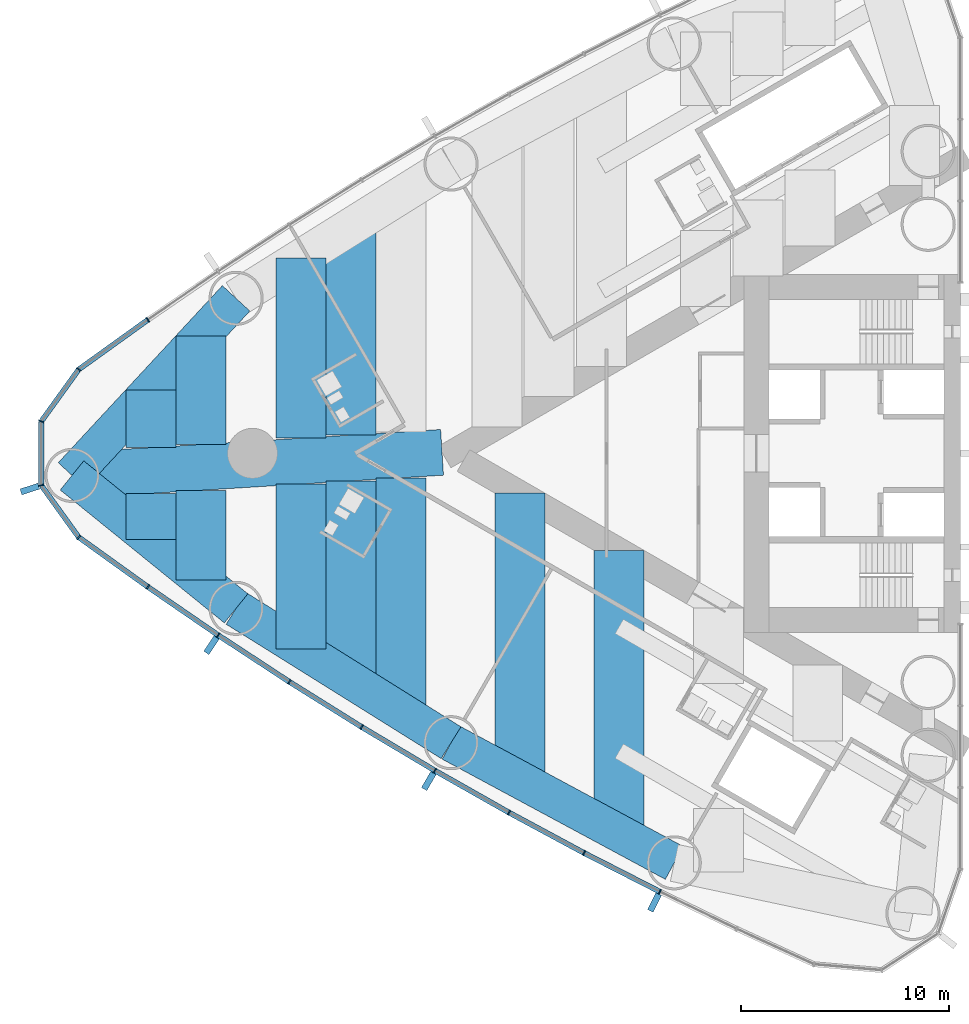
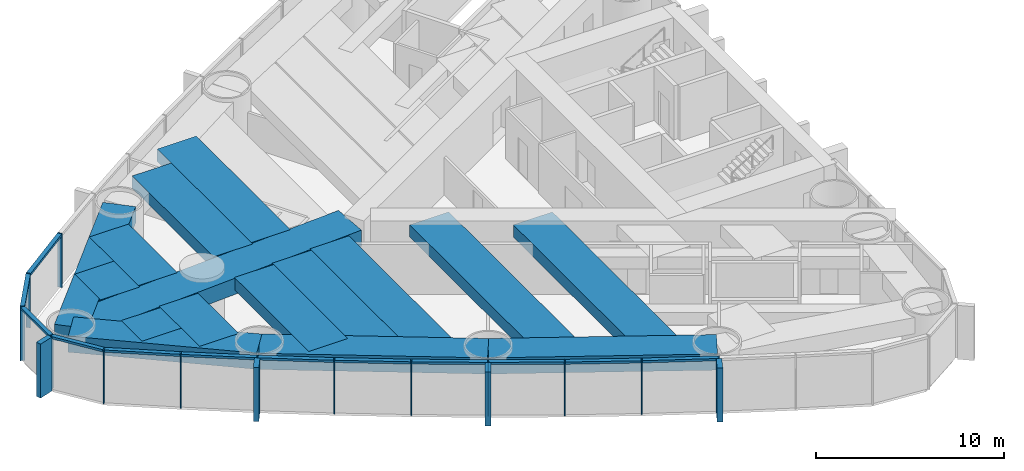
# One storey, part 2 of 18: 29 members, 16 beams, 1 element without a shape of its own.
"""IFC4 building model written with IfcOpenShell, lengths in metres."""

from ifc_helpers import new_model, si_unit, direction, frame, origin, origin_2d, place, context, subcontext, project, spatial, rectangle, extrude, material, material_profile, profile_set, type_object, element, aggregate, save


model = new_model("IFC4")

# Units and contexts
model_context = context("Model", 3, precision=1e-05, world=origin(), true_north=direction((0.0, 1.0)))
body_context = subcontext(model_context, "Body", "Model", "MODEL_VIEW")
ifc_project = project(units=[si_unit("LENGTHUNIT", "METRE"), si_unit("AREAUNIT", "SQUARE_METRE"), si_unit("VOLUMEUNIT", "CUBIC_METRE"), si_unit("PLANEANGLEUNIT", "RADIAN"), si_unit("MASSUNIT", "GRAM", prefix="KILO")], contexts=[model_context])

# Site, building, storey
site_placement = place(None, origin())
site = spatial("IfcSite", under=ifc_project, at=site_placement, CompositionType="ELEMENT")
building_placement = place(site_placement, origin())
building = spatial("IfcBuilding", under=site, at=building_placement, Name="Lancet Gate Hotel", CompositionType="ELEMENT")
storey_placement = place(building_placement, frame((0.0, 0.0, 108.10009765625)))
storey = spatial("IfcBuildingStorey", under=building, at=storey_placement, Name="L28", CompositionType="ELEMENT", Elevation=108.10009765625)

# Curtain wall, members
ifc_material_1 = material(Name="Aluminium curtain wall", Category="aluminium")
curtain_wall_type = type_object("IfcCurtainWallType", Name="Tower unitised curtain wall", PredefinedType="USERDEFINED", material=ifc_material_1)
curtain_wall_placement = place(storey_placement, origin())
curtain_wall = element("IfcCurtainWall", 1, at=curtain_wall_placement, inside=storey, type_object=curtain_wall_type, Name="T1 L28 curtain wall 1", ObjectType="UNITISED CURTAIN WALL", PredefinedType="USERDEFINED")
ifc_material_2 = material(Name="Aluminium mullion", Category="aluminium")
ifc_material_profile_1 = material_profile(ifc_material_2, rectangle(XDim=0.06494140625, YDim=0.25, at=origin_2d()), Name="MULLION 65x250")
ifc_profile_set_1 = profile_set([ifc_material_profile_1], Name="Aluminium mullion")
member_type_1 = type_object("IfcMemberType", Name="Aluminium mullion 65x250", PredefinedType="MULLION", material=ifc_profile_set_1)
member_1_placement = place(storey_placement, frame((-66.5234375, 6.41650390625, 0.0), z_axis=(0.0, 0.0, 1.0), x_axis=(-0.818327221681, -0.574752606132, 0.0)))
member_1 = element("IfcMember", 2, at=member_1_placement, type_object=member_type_1, Name="T1 L28 curtain wall 1 mullion 16", PredefinedType="MULLION", context=body_context, shape_type="SweptSolid", body=[
    extrude(rectangle(XDim=0.06494140625, YDim=0.25, at=origin_2d()), origin(), (0.0, 0.0, 1.0), 3.5),
])
member_2_placement = place(storey_placement, frame((-69.84619140625, 4.02880859375, 0.0), z_axis=(0.0, 0.0, 1.0), x_axis=(-0.723846229576, -0.6899613293, 0.0)))
member_2 = element("IfcMember", 3, at=member_2_placement, type_object=member_type_1, Name="T1 L28 curtain wall 1 mullion 17", PredefinedType="MULLION", context=body_context, shape_type="SweptSolid", body=[
    extrude(rectangle(XDim=0.06494140625, YDim=0.25, at=origin_2d()), origin(), (0.0, 0.0, 1.0), 3.5),
])
member_3_placement = place(storey_placement, frame((-71.64306640625, 1.536376953125, 0.0), z_axis=(0.0, 0.0, 1.0), x_axis=(-0.307269196735, -0.95162263568, 0.0)))
member_3 = element("IfcMember", 4, at=member_3_placement, type_object=member_type_1, Name="T1 L28 curtain wall 1 mullion 18", PredefinedType="MULLION", context=body_context, shape_type="SweptSolid", body=[
    extrude(rectangle(XDim=0.06494140625, YDim=0.25, at=origin_2d()), origin(), (0.0, 0.0, 1.0), 3.5),
])
member_4_placement = place(storey_placement, frame((-71.64306640625, -1.536376953125, 0.0), z_axis=(0.0, 0.0, 1.0), x_axis=(0.307269196735, -0.95162263568, 0.0)))
member_4 = element("IfcMember", 5, at=member_4_placement, type_object=member_type_1, Name="T1 L28 curtain wall 1 mullion 19", PredefinedType="MULLION", context=body_context, shape_type="SweptSolid", body=[
    extrude(rectangle(XDim=0.06494140625, YDim=0.25, at=origin_2d()), origin(), (0.0, 0.0, 1.0), 3.5),
])
member_5_placement = place(storey_placement, frame((-69.84619140625, -4.02880859375, 0.0), z_axis=(0.0, 0.0, 1.0), x_axis=(0.723846229576, -0.6899613293, 0.0)))
member_5 = element("IfcMember", 6, at=member_5_placement, type_object=member_type_1, Name="T1 L28 curtain wall 1 mullion 20", PredefinedType="MULLION", context=body_context, shape_type="SweptSolid", body=[
    extrude(rectangle(XDim=0.06494140625, YDim=0.25, at=origin_2d()), origin(), (0.0, 0.0, 1.0), 3.5),
])
member_6_placement = place(storey_placement, frame((-66.5234375, -6.41650390625, 0.0), z_axis=(0.0, 0.0, 1.0), x_axis=(0.818327221681, -0.574752606132, 0.0)))
member_6 = element("IfcMember", 7, at=member_6_placement, type_object=member_type_1, Name="T1 L28 curtain wall 1 mullion 21", PredefinedType="MULLION", context=body_context, shape_type="SweptSolid", body=[
    extrude(rectangle(XDim=0.06494140625, YDim=0.25, at=origin_2d()), origin(), (0.0, 0.0, 1.0), 3.5),
])
member_7_placement = place(storey_placement, frame((-63.14990234375, -8.73193359375, 0.0), z_axis=(0.0, 0.0, 1.0), x_axis=(0.830510096234, -0.557003572747, 0.0)))
member_7 = element("IfcMember", 8, at=member_7_placement, type_object=member_type_1, Name="T1 L28 curtain wall 1 mullion 22", PredefinedType="MULLION", context=body_context, shape_type="SweptSolid", body=[
    extrude(rectangle(XDim=0.06494140625, YDim=0.25, at=origin_2d()), origin(), (0.0, 0.0, 1.0), 3.5),
])
member_8_placement = place(storey_placement, frame((-59.7275390625, -10.974365234375, 0.0), z_axis=(0.0, 0.0, 1.0), x_axis=(0.84230807036, -0.538996395727, 0.0)))
member_8 = element("IfcMember", 9, at=member_8_placement, type_object=member_type_1, Name="T1 L28 curtain wall 1 mullion 23", PredefinedType="MULLION", context=body_context, shape_type="SweptSolid", body=[
    extrude(rectangle(XDim=0.06494140625, YDim=0.25, at=origin_2d()), origin(), (0.0, 0.0, 1.0), 3.5),
])
member_9_placement = place(storey_placement, frame((-56.257568359375, -13.142333984375, 0.0), z_axis=(0.0, 0.0, 1.0), x_axis=(0.853715676299, -0.52073942048, 0.0)))
member_9 = element("IfcMember", 10, at=member_9_placement, type_object=member_type_1, Name="T1 L28 curtain wall 1 mullion 24", PredefinedType="MULLION", context=body_context, shape_type="SweptSolid", body=[
    extrude(rectangle(XDim=0.06494140625, YDim=0.25, at=origin_2d()), origin(), (0.0, 0.0, 1.0), 3.5),
])
member_10_placement = place(storey_placement, frame((-52.74169921875, -15.2353515625, 0.0), z_axis=(0.0, 0.0, 1.0), x_axis=(0.86472762718, -0.502241108226, 0.0)))
member_10 = element("IfcMember", 11, at=member_10_placement, type_object=member_type_1, Name="T1 L28 curtain wall 1 mullion 25", PredefinedType="MULLION", context=body_context, shape_type="SweptSolid", body=[
    extrude(rectangle(XDim=0.06494140625, YDim=0.25, at=origin_2d()), origin(), (0.0, 0.0, 1.0), 3.5),
])
member_11_placement = place(storey_placement, frame((-49.181640625, -17.252197265625, 0.0), z_axis=(0.0, 0.0, 1.0), x_axis=(0.875338819507, -0.48351003202, 0.0)))
member_11 = element("IfcMember", 12, at=member_11_placement, type_object=member_type_1, Name="T1 L28 curtain wall 1 mullion 26", PredefinedType="MULLION", context=body_context, shape_type="SweptSolid", body=[
    extrude(rectangle(XDim=0.06494140625, YDim=0.25, at=origin_2d()), origin(), (0.0, 0.0, 1.0), 3.5),
])
member_12_placement = place(storey_placement, frame((-45.578857421875, -19.19189453125, 0.0), z_axis=(0.0, 0.0, 1.0), x_axis=(0.885544335517, -0.46455487279, 0.0)))
member_12 = element("IfcMember", 13, at=member_12_placement, type_object=member_type_1, Name="T1 L28 curtain wall 1 mullion 27", PredefinedType="MULLION", context=body_context, shape_type="SweptSolid", body=[
    extrude(rectangle(XDim=0.06494140625, YDim=0.25, at=origin_2d()), origin(), (0.0, 0.0, 1.0), 3.5),
])
member_13_placement = place(storey_placement, frame((-41.935302734375, -21.053466796875, 0.0), z_axis=(0.0, 0.0, 1.0), x_axis=(0.895339445458, -0.445384415317, 0.0)))
member_13 = element("IfcMember", 14, at=member_13_placement, type_object=member_type_1, Name="T1 L28 curtain wall 1 mullion 28", PredefinedType="MULLION", context=body_context, shape_type="SweptSolid", body=[
    extrude(rectangle(XDim=0.06494140625, YDim=0.25, at=origin_2d()), origin(), (0.0, 0.0, 1.0), 3.5),
])
ifc_material_3 = material(Name="Aluminium transom", Category="aluminium")
ifc_material_profile_2 = material_profile(ifc_material_3, rectangle(XDim=0.25, YDim=0.14990234375, at=origin_2d()), Name="TRANSOM 250x150")
ifc_profile_set_2 = profile_set([ifc_material_profile_2], Name="Aluminium transom")
member_type_2 = type_object("IfcMemberType", Name="Aluminium transom 250x150", PredefinedType="USERDEFINED", material=ifc_profile_set_2)
member_14_placement = place(storey_placement, frame((-66.5498046875, 6.3974609375, 3.4248046875), z_axis=(-0.812099770796, -0.583518604908, 0.0), x_axis=(0.583518604908, -0.812099770796, 0.0)))
member_14 = element("IfcMember", 15, at=member_14_placement, type_object=member_type_2, Name="T1 L28 curtain wall 1 transom 16", ObjectType="TRANSOM", PredefinedType="USERDEFINED", context=body_context, shape_type="SweptSolid", body=[
    extrude(rectangle(XDim=0.25, YDim=0.14990234375, at=origin_2d()), origin(), (0.0, 0.0, 1.0), 4.026611328125),
])
member_15_placement = place(storey_placement, frame((-69.865234375, 4.00244140625, 3.4248046875), z_axis=(-0.584787911241, -0.81118622946, 0.0), x_axis=(0.81118622946, -0.584787911241, 0.0)))
member_15 = element("IfcMember", 16, at=member_15_placement, type_object=member_type_2, Name="T1 L28 curtain wall 1 transom 17", ObjectType="TRANSOM", PredefinedType="USERDEFINED", context=body_context, shape_type="SweptSolid", body=[
    extrude(rectangle(XDim=0.25, YDim=0.14990234375, at=origin_2d()), origin(), (0.0, 0.0, 1.0), 3.007568359375),
])
member_16_placement = place(storey_placement, frame((-71.64306640625, 1.50390625, 3.4248046875), z_axis=(0.0, -1.0, 0.0), x_axis=(1.0, 0.0, 0.0)))
member_16 = element("IfcMember", 17, at=member_16_placement, type_object=member_type_2, Name="T1 L28 curtain wall 1 transom 18", ObjectType="TRANSOM", PredefinedType="USERDEFINED", context=body_context, shape_type="SweptSolid", body=[
    extrude(rectangle(XDim=0.25, YDim=0.14990234375, at=origin_2d()), origin(), (0.0, 0.0, 1.0), 3.0078125),
])
member_17_placement = place(storey_placement, frame((-71.6240234375, -1.562744140625, 3.4248046875), z_axis=(0.584787911241, -0.81118622946, 0.0), x_axis=(0.81118622946, 0.584787911241, 0.0)))
member_17 = element("IfcMember", 18, at=member_17_placement, type_object=member_type_2, Name="T1 L28 curtain wall 1 transom 19", ObjectType="TRANSOM", PredefinedType="USERDEFINED", context=body_context, shape_type="SweptSolid", body=[
    extrude(rectangle(XDim=0.25, YDim=0.14990234375, at=origin_2d()), origin(), (0.0, 0.0, 1.0), 3.007568359375),
])
member_18_placement = place(storey_placement, frame((-69.81982421875, -4.0478515625, 3.4248046875), z_axis=(0.812099770796, -0.583518604908, 0.0), x_axis=(0.583518604908, 0.812099770796, 0.0)))
member_18 = element("IfcMember", 19, at=member_18_placement, type_object=member_type_2, Name="T1 L28 curtain wall 1 transom 20", ObjectType="TRANSOM", PredefinedType="USERDEFINED", context=body_context, shape_type="SweptSolid", body=[
    extrude(rectangle(XDim=0.25, YDim=0.14990234375, at=origin_2d()), origin(), (0.0, 0.0, 1.0), 4.026611328125),
])
member_19_placement = place(storey_placement, frame((-66.49658203125, -6.434814453125, 3.4248046875), z_axis=(0.824455665247, -0.565926546508, 0.0), x_axis=(0.565926546508, 0.824455665247, 0.0)))
member_19 = element("IfcMember", 20, at=member_19_placement, type_object=member_type_2, Name="T1 L28 curtain wall 1 transom 21", ObjectType="TRANSOM", PredefinedType="USERDEFINED", context=body_context, shape_type="SweptSolid", body=[
    extrude(rectangle(XDim=0.25, YDim=0.14990234375, at=origin_2d()), origin(), (0.0, 0.0, 1.0), 4.026611328125),
])
member_20_placement = place(storey_placement, frame((-63.122802734375, -8.749755859375, 3.4248046875), z_axis=(0.83645442085, -0.548036496815, 0.0), x_axis=(0.548036496815, 0.83645442085, 0.0)))
member_20 = element("IfcMember", 21, at=member_20_placement, type_object=member_type_2, Name="T1 L28 curtain wall 1 transom 22", ObjectType="TRANSOM", PredefinedType="USERDEFINED", context=body_context, shape_type="SweptSolid", body=[
    extrude(rectangle(XDim=0.25, YDim=0.14990234375, at=origin_2d()), origin(), (0.0, 0.0, 1.0), 4.026611328125),
])
member_21_placement = place(storey_placement, frame((-59.699951171875, -10.991455078125, 3.4248046875), z_axis=(0.848049393821, -0.529917187531, 0.0), x_axis=(0.529917187531, 0.848049393821, 0.0)))
member_21 = element("IfcMember", 22, at=member_21_placement, type_object=member_type_2, Name="T1 L28 curtain wall 1 transom 23", ObjectType="TRANSOM", PredefinedType="USERDEFINED", context=body_context, shape_type="SweptSolid", body=[
    extrude(rectangle(XDim=0.25, YDim=0.14990234375, at=origin_2d()), origin(), (0.0, 0.0, 1.0), 4.026611328125),
])
member_22_placement = place(storey_placement, frame((-56.2294921875, -13.1591796875, 3.4248046875), z_axis=(0.859285270342, -0.511496651186, 0.0), x_axis=(0.511496651186, 0.859285270342, 0.0)))
member_22 = element("IfcMember", 23, at=member_22_placement, type_object=member_type_2, Name="T1 L28 curtain wall 1 transom 24", ObjectType="TRANSOM", PredefinedType="USERDEFINED", context=body_context, shape_type="SweptSolid", body=[
    extrude(rectangle(XDim=0.25, YDim=0.14990234375, at=origin_2d()), origin(), (0.0, 0.0, 1.0), 4.026611328125),
])
member_23_placement = place(storey_placement, frame((-52.71337890625, -15.25146484375, 3.4248046875), z_axis=(0.870091531013, -0.492890178091, 0.0), x_axis=(0.492890178091, 0.870091531013, 0.0)))
member_23 = element("IfcMember", 24, at=member_23_placement, type_object=member_type_2, Name="T1 L28 curtain wall 1 transom 25", ObjectType="TRANSOM", PredefinedType="USERDEFINED", context=body_context, shape_type="SweptSolid", body=[
    extrude(rectangle(XDim=0.25, YDim=0.14990234375, at=origin_2d()), origin(), (0.0, 0.0, 1.0), 4.026611328125),
])
member_24_placement = place(storey_placement, frame((-49.153076171875, -17.267578125, 3.4248046875), z_axis=(0.880498353192, -0.474049206335, 0.0), x_axis=(0.474049206335, 0.880498353192, 0.0)))
member_24 = element("IfcMember", 25, at=member_24_placement, type_object=member_type_2, Name="T1 L28 curtain wall 1 transom 26", ObjectType="TRANSOM", PredefinedType="USERDEFINED", context=body_context, shape_type="SweptSolid", body=[
    extrude(rectangle(XDim=0.25, YDim=0.14990234375, at=origin_2d()), origin(), (0.0, 0.0, 1.0), 4.02685546875),
])
member_25_placement = place(storey_placement, frame((-45.550048828125, -19.20654296875, 3.4248046875), z_axis=(0.89047617483, -0.455029869415, 0.0), x_axis=(0.455029869415, 0.89047617483, 0.0)))
member_25 = element("IfcMember", 26, at=member_25_placement, type_object=member_type_2, Name="T1 L28 curtain wall 1 transom 27", ObjectType="TRANSOM", PredefinedType="USERDEFINED", context=body_context, shape_type="SweptSolid", body=[
    extrude(rectangle(XDim=0.25, YDim=0.14990234375, at=origin_2d()), origin(), (0.0, 0.0, 1.0), 4.026611328125),
])

# Beams
ifc_material_4 = material(Name="Concrete C50/60", Category="concrete")
ifc_material_profile_3 = material_profile(ifc_material_4, rectangle(XDim=1.800048828125, YDim=1.050048828125, at=origin_2d()), Name="RC 1800x1050")
ifc_profile_set_3 = profile_set([ifc_material_profile_3], Name="Concrete C50/60")
beam_type_1 = type_object("IfcBeamType", Name="Edge beam RC 1800x1050", PredefinedType="SPANDREL", material=ifc_profile_set_3)
beam_1_placement = place(storey_placement, frame((-62.28662109375, 7.444580078125, 2.724853515625), z_axis=(-0.679718253794, -0.733473309303, 0.0), x_axis=(0.733473309303, -0.679718253794, 0.0)))
element("IfcBeam", 27, at=beam_1_placement, inside=storey, type_object=beam_type_1, Name="T1 edge beam EB1 L28", PredefinedType="SPANDREL", context=body_context, shape_type="SweptSolid", body=[
    extrude(rectangle(XDim=1.800048828125, YDim=1.050048828125, at=origin_2d()), origin(), (0.0, 0.0, 1.0), 11.594970703125),
])
beam_2_placement = place(storey_placement, frame((-70.16796875, -1.06005859375, 2.724853515625), z_axis=(0.777033503891, -0.629459239213, 0.0), x_axis=(0.629459239213, 0.777033503891, 0.0)))
element("IfcBeam", 28, at=beam_2_placement, inside=storey, type_object=beam_type_1, Name="T1 edge beam EB1 L28", PredefinedType="SPANDREL", context=body_context, shape_type="SweptSolid", body=[
    extrude(rectangle(XDim=1.800048828125, YDim=1.050048828125, at=origin_2d()), origin(), (0.0, 0.0, 1.0), 10.142822265625),
])
for number, where, z_axis, x_axis, name in (
    (29, (-62.28662109375, -7.444580078125, 2.724853515625), (0.848062521637, -0.529896177939, 0.0), (0.529896177939, 0.848062521637, 0.0), "T1 edge beam EB1 L28"),
    (30, (-51.963134765625, -13.89501953125, 2.724853515625), (0.880492350889, -0.474060354835, 0.0), (0.474060354835, 0.880492350889, 0.0), "T1 edge beam EB1 L28"),
):
    element("IfcBeam", number, at=place(storey_placement, frame(where, z_axis=z_axis, x_axis=x_axis)), inside=storey, type_object=beam_type_1, Name=name, PredefinedType="SPANDREL", context=body_context, shape_type="SweptSolid", body=[
        extrude(rectangle(XDim=1.800048828125, YDim=1.050048828125, at=origin_2d()), origin(), (0.0, 0.0, 1.0), 12.173095703125),
    ])

# Member
ifc_material_5 = material(Name="Precast concrete C50/60", Category="concrete")
ifc_material_profile_4 = material_profile(ifc_material_5, rectangle(XDim=0.300048828125, YDim=0.89990234375, at=origin_2d()), Name="FIN 300x900")
ifc_profile_set_4 = profile_set([ifc_material_profile_4], Name="Precast concrete C50/60")
member_type_3 = type_object("IfcMemberType", Name="Exposed concrete fin 300x900", PredefinedType="USERDEFINED", material=ifc_profile_set_4)
member_26_placement = place(storey_placement, frame((-72.190185546875, -1.713134765625, 0.0), z_axis=(0.0, 0.0, 1.0), x_axis=(0.307269196735, -0.95162263568, 0.0)))
member_26 = element("IfcMember", 31, at=member_26_placement, type_object=member_type_3, Name="T1 L28 curtain wall 1 fin 19", ObjectType="FIN", PredefinedType="USERDEFINED", context=body_context, shape_type="SweptSolid", body=[
    extrude(rectangle(XDim=0.300048828125, YDim=0.89990234375, at=origin_2d()), origin(), (0.0, 0.0, 1.0), 3.5),
])

member_27_placement = place(storey_placement, frame((-63.47021484375, -9.20947265625, 0.0), z_axis=(0.0, 0.0, 1.0), x_axis=(0.830510096234, -0.557003572747, 0.0)))
member_27 = element("IfcMember", 32, at=member_27_placement, type_object=member_type_3, Name="T1 L28 curtain wall 1 fin 22", ObjectType="FIN", PredefinedType="USERDEFINED", context=body_context, shape_type="SweptSolid", body=[
    extrude(rectangle(XDim=0.300048828125, YDim=0.89990234375, at=origin_2d()), origin(), (0.0, 0.0, 1.0), 3.5),
])

member_28_placement = place(storey_placement, frame((-53.030517578125, -15.732666015625, 0.0), z_axis=(0.0, 0.0, 1.0), x_axis=(0.86472762718, -0.502241108226, 0.0)))
member_28 = element("IfcMember", 33, at=member_28_placement, type_object=member_type_3, Name="T1 L28 curtain wall 1 fin 25", ObjectType="FIN", PredefinedType="USERDEFINED", context=body_context, shape_type="SweptSolid", body=[
    extrude(rectangle(XDim=0.300048828125, YDim=0.89990234375, at=origin_2d()), origin(), (0.0, 0.0, 1.0), 3.5),
])

member_29_placement = place(storey_placement, frame((-42.19140625, -21.568359375, 0.0), z_axis=(0.0, 0.0, 1.0), x_axis=(0.895339445458, -0.445384415317, 0.0)))
member_29 = element("IfcMember", 34, at=member_29_placement, type_object=member_type_3, Name="T1 L28 curtain wall 1 fin 28", ObjectType="FIN", PredefinedType="USERDEFINED", context=body_context, shape_type="SweptSolid", body=[
    extrude(rectangle(XDim=0.300048828125, YDim=0.89990234375, at=origin_2d()), origin(), (0.0, 0.0, 1.0), 3.5),
])

aggregate(curtain_wall, [member_1, member_2, member_3, member_4, member_26, member_5, member_6, member_7, member_27, member_8, member_9, member_10, member_28, member_11, member_12, member_13, member_29, member_14, member_15, member_16, member_17, member_18, member_19, member_20, member_21, member_22, member_23, member_24, member_25])

# Beams
ifc_material_6 = material(Name="Concrete C50/60", Category="concrete")
ifc_material_profile_5 = material_profile(ifc_material_6, rectangle(XDim=2.39990234375, YDim=0.800048828125, at=origin_2d()), Name="RC 2400x800")
ifc_profile_set_5 = profile_set([ifc_material_profile_5], Name="Concrete C50/60")
beam_type_2 = type_object("IfcBeamType", Name="Floor beam RC 2400x800", PredefinedType="BEAM", material=ifc_profile_set_5)
beam_3_placement = place(storey_placement, frame((-43.891357421875, -4.663330078125, 2.849853515625), z_axis=(0.0, -1.0, 0.0), x_axis=(1.0, 0.0, 0.0)))
element("IfcBeam", 35, at=beam_3_placement, inside=storey, type_object=beam_type_2, Name="T1 floor beam F08N L28", PredefinedType="BEAM", context=body_context, shape_type="SweptSolid", body=[
    extrude(rectangle(XDim=2.39990234375, YDim=0.800048828125, at=origin_2d()), origin(), (0.0, 0.0, 1.0), 13.57763671875),
])
beam_4_placement = place(storey_placement, frame((-48.66015625, -1.909912109375, 2.849853515625), z_axis=(0.0, -1.0, 0.0), x_axis=(1.0, 0.0, 0.0)))
element("IfcBeam", 36, at=beam_4_placement, inside=storey, type_object=beam_type_2, Name="T1 floor beam F11N L28", PredefinedType="BEAM", context=body_context, shape_type="SweptSolid", body=[
    extrude(rectangle(XDim=2.39990234375, YDim=0.800048828125, at=origin_2d()), origin(), (0.0, 0.0, 1.0), 13.763427734375),
])
beam_5_placement = place(storey_placement, frame((-54.3681640625, -1.177001953125, 2.849853515625), z_axis=(0.0, -1.0, 0.0), x_axis=(1.0, 0.0, 0.0)))
element("IfcBeam", 37, at=beam_5_placement, inside=storey, type_object=beam_type_2, Name="T1 floor beam F14N L28", PredefinedType="BEAM", context=body_context, shape_type="SweptSolid", body=[
    extrude(rectangle(XDim=2.39990234375, YDim=0.800048828125, at=origin_2d()), origin(), (0.0, 0.0, 1.0), 11.21533203125),
])
beam_6_placement = place(storey_placement, frame((-56.768310546875, 10.892578125, 2.849853515625), z_axis=(0.0, -1.0, 0.0), x_axis=(1.0, 0.0, 0.0)))
element("IfcBeam", 38, at=beam_6_placement, inside=storey, type_object=beam_type_2, Name="T1 floor beam F15S L28", PredefinedType="BEAM", context=body_context, shape_type="SweptSolid", body=[
    extrude(rectangle(XDim=2.39990234375, YDim=0.800048828125, at=origin_2d()), origin(), (0.0, 0.0, 1.0), 10.014892578125),
])
beam_7_placement = place(storey_placement, frame((-56.768310546875, -1.32666015625, 2.849853515625), z_axis=(0.0, -1.0, 0.0), x_axis=(1.0, 0.0, 0.0)))
element("IfcBeam", 39, at=beam_7_placement, inside=storey, type_object=beam_type_2, Name="T1 floor beam F16N L28", PredefinedType="BEAM", context=body_context, shape_type="SweptSolid", body=[
    extrude(rectangle(XDim=2.39990234375, YDim=0.800048828125, at=origin_2d()), origin(), (0.0, 0.0, 1.0), 9.56591796875),
])
beam_8_placement = place(storey_placement, frame((-59.168212890625, 9.39306640625, 2.849853515625), z_axis=(0.0, -1.0, 0.0), x_axis=(1.0, 0.0, 0.0)))
element("IfcBeam", 40, at=beam_8_placement, inside=storey, type_object=beam_type_2, Name="T1 floor beam F17S L28", PredefinedType="BEAM", context=body_context, shape_type="SweptSolid", body=[
    extrude(rectangle(XDim=2.39990234375, YDim=0.800048828125, at=origin_2d()), origin(), (0.0, 0.0, 1.0), 8.6650390625),
])
beam_9_placement = place(storey_placement, frame((-59.168212890625, -1.476318359375, 2.849853515625), z_axis=(0.0, -1.0, 0.0), x_axis=(1.0, 0.0, 0.0)))
element("IfcBeam", 41, at=beam_9_placement, inside=storey, type_object=beam_type_2, Name="T1 floor beam F18N L28", PredefinedType="BEAM", context=body_context, shape_type="SweptSolid", body=[
    extrude(rectangle(XDim=2.39990234375, YDim=0.800048828125, at=origin_2d()), origin(), (0.0, 0.0, 1.0), 7.916748046875),
])
beam_10_placement = place(storey_placement, frame((-63.96826171875, 5.6298828125, 2.849853515625), z_axis=(0.0, -1.0, 0.0), x_axis=(1.0, 0.0, 0.0)))
element("IfcBeam", 42, at=beam_10_placement, inside=storey, type_object=beam_type_2, Name="T1 floor beam F19S L28", PredefinedType="BEAM", context=body_context, shape_type="SweptSolid", body=[
    extrude(rectangle(XDim=2.39990234375, YDim=0.800048828125, at=origin_2d()), origin(), (0.0, 0.0, 1.0), 5.201171875),
])
beam_11_placement = place(storey_placement, frame((-63.96826171875, -1.775634765625, 2.849853515625), z_axis=(0.0, -1.0, 0.0), x_axis=(1.0, 0.0, 0.0)))
element("IfcBeam", 43, at=beam_11_placement, inside=storey, type_object=beam_type_2, Name="T1 floor beam F20N L28", PredefinedType="BEAM", context=body_context, shape_type="SweptSolid", body=[
    extrude(rectangle(XDim=2.39990234375, YDim=0.800048828125, at=origin_2d()), origin(), (0.0, 0.0, 1.0), 4.306640625),
])
beam_12_placement = place(storey_placement, frame((-66.3681640625, 3.040283203125, 2.849853515625), z_axis=(0.0, -1.0, 0.0), x_axis=(1.0, 0.0, 0.0)))
element("IfcBeam", 44, at=beam_12_placement, inside=storey, type_object=beam_type_2, Name="T1 floor beam F21S L28", PredefinedType="BEAM", context=body_context, shape_type="SweptSolid", body=[
    extrude(rectangle(XDim=2.39990234375, YDim=0.800048828125, at=origin_2d()), origin(), (0.0, 0.0, 1.0), 2.76123046875),
])
beam_13_placement = place(storey_placement, frame((-66.3681640625, -1.92529296875, 2.849853515625), z_axis=(0.0, -1.0, 0.0), x_axis=(1.0, 0.0, 0.0)))
element("IfcBeam", 45, at=beam_13_placement, inside=storey, type_object=beam_type_2, Name="T1 floor beam F22N L28", PredefinedType="BEAM", context=body_context, shape_type="SweptSolid", body=[
    extrude(rectangle(XDim=2.39990234375, YDim=0.800048828125, at=origin_2d()), origin(), (0.0, 0.0, 1.0), 2.212890625),
])
ifc_material_7 = material(Name="Concrete C50/60", Category="concrete")
ifc_material_profile_6 = material_profile(ifc_material_7, rectangle(XDim=2.199951171875, YDim=1.050048828125, at=origin_2d()), Name="RC 2200x1050")
ifc_profile_set_6 = profile_set([ifc_material_profile_6], Name="Concrete C50/60")
beam_type_3 = type_object("IfcBeamType", Name="Radial floor beam RC 2200x1050", PredefinedType="BEAM", material=ifc_profile_set_6)
beam_14_placement = place(storey_placement, frame((-70.16796875, -1.06005859375, 2.724853515625), z_axis=(0.998061637313, 0.062233175423, 0.0), x_axis=(-0.062233175423, 0.998061637313, 0.0)))
element("IfcBeam", 46, at=beam_14_placement, inside=storey, type_object=beam_type_3, Name="T1 radial beam CA L28", PredefinedType="BEAM", context=body_context, shape_type="SweptSolid", body=[
    extrude(rectangle(XDim=2.199951171875, YDim=1.050048828125, at=origin_2d()), origin(), (0.0, 0.0, 1.0), 17.806396484375),
])

save(model, "model.ifc")
